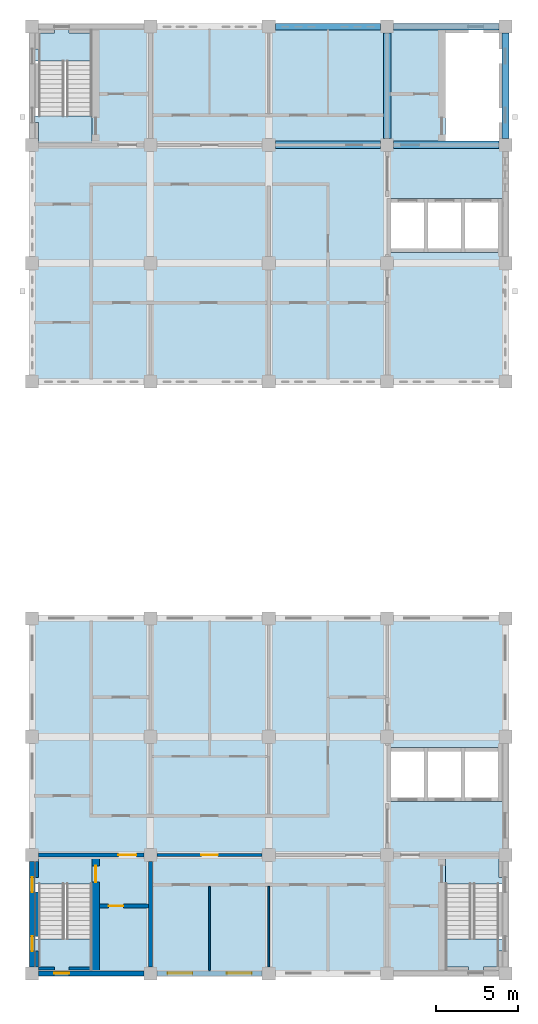
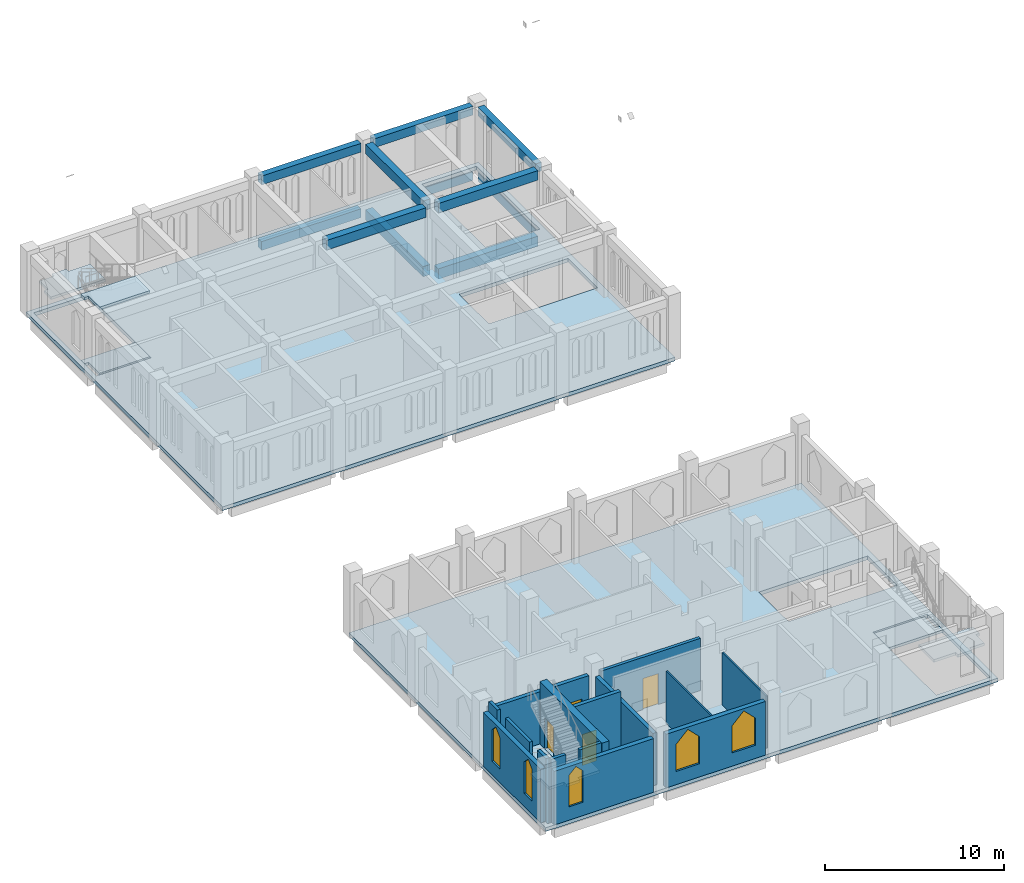
# One storey, part 2 of 13: 15 walls, 11 beams, 9 slabs, 5 windows, 4 doors, 9 openings, 3 elements without a shape of their own.
"""IFC4 building model written with IfcOpenShell, lengths in metres."""

from ifc_helpers import new_model, si_unit, direction, frame, frame_2d, origin, origin_2d, place, context, subcontext, project, spatial, polyline, rectangle, outline, extrude, material, layer, layer_set, material_profile, profile_set, type_object, element, fill, aggregate, save


model = new_model("IFC4")

# Units and contexts
model_context = context("Model", 3, precision=1e-05, world=origin(), true_north=direction((0.0, 1.0)))
body_context = subcontext(model_context, "Body", "Model", "MODEL_VIEW")
ifc_project = project(units=[si_unit("LENGTHUNIT", "METRE"), si_unit("AREAUNIT", "SQUARE_METRE"), si_unit("VOLUMEUNIT", "CUBIC_METRE"), si_unit("PLANEANGLEUNIT", "RADIAN"), si_unit("MASSUNIT", "GRAM", prefix="KILO")], contexts=[model_context])

# Site, building, storey
site_placement = place(None, origin())
site = spatial("IfcSite", under=ifc_project, at=site_placement, CompositionType="ELEMENT")
building_placement = place(site_placement, origin())
building = spatial("IfcBuilding", under=site, at=building_placement, Name="Silangan Lancet Faculty of Sciences", CompositionType="ELEMENT")
storey_placement = place(building_placement, frame((0.0, 0.0, 49.800048828125)))
storey = spatial("IfcBuildingStorey", under=building, at=storey_placement, Name="L10", CompositionType="ELEMENT", Elevation=49.800048828125)

# Beams
ifc_material_1 = material(Name="Concrete C40/50", Category="concrete")
ifc_material_profile_1 = material_profile(ifc_material_1, rectangle(XDim=0.39990234375, YDim=0.60009765625, at=origin_2d()), Name="RC 400x600")
ifc_profile_set_1 = profile_set([ifc_material_profile_1], Name="Concrete C40/50")
beam_type_1 = type_object("IfcBeamType", Name="BEAM RC 400x600", PredefinedType="BEAM", material=ifc_profile_set_1)
for number, where, z_axis, x_axis, name in (
    (1, (14.800048828125, 57.60009765625, -0.550048828125), (1.0, 0.0, 0.0), (0.0, 1.0, 0.0), "BM-L10-3I-4I"),
    (2, (22.0, 57.60009765625, -0.550048828125), (1.0, 0.0, 0.0), (0.0, 1.0, 0.0), "BM-L10-4I-5I"),
    (3, (28.800048828125, 50.800048828125, -0.550048828125), (0.0, 1.0, 0.0), (-1.0, 0.0, 0.0), "BM-L10-5H-5I"),
    (4, (14.800048828125, 57.60009765625, 3.89990234375), (1.0, 0.0, 0.0), (0.0, 1.0, 0.0), "RB-L10-3I-4I"),
    (5, (22.0, 57.60009765625, 3.89990234375), (1.0, 0.0, 0.0), (0.0, 1.0, 0.0), "RB-L10-4I-5I"),
    (6, (28.800048828125, 50.800048828125, 3.89990234375), (0.0, 1.0, 0.0), (-1.0, 0.0, 0.0), "RB-L10-5H-5I"),
):
    element("IfcBeam", number, at=place(storey_placement, frame(where, z_axis=z_axis, x_axis=x_axis)), inside=storey, type_object=beam_type_1, Name=name, PredefinedType="BEAM", context=body_context, shape_type="SweptSolid", body=[
        extrude(rectangle(XDim=0.39990234375, YDim=0.60009765625, at=origin_2d()), origin(), (0.0, 0.0, 1.0), 6.39990234375),
    ])
ifc_material_2 = material(Name="Concrete C40/50", Category="concrete")
ifc_material_profile_2 = material_profile(ifc_material_2, rectangle(XDim=0.449951171875, YDim=0.64990234375, at=origin_2d()), Name="RC 450x650")
ifc_profile_set_2 = profile_set([ifc_material_profile_2], Name="Concrete C40/50")
beam_type_2 = type_object("IfcBeamType", Name="BEAM RC 450x650", PredefinedType="BEAM", material=ifc_profile_set_2)
for number, where, z_axis, x_axis, name in (
    (7, (14.800048828125, 50.39990234375, 3.875), (1.0, 0.0, 0.0), (0.0, 1.0, 0.0), "RB-L10-3H-4H"),
    (8, (22.0, 50.39990234375, 3.875), (1.0, 0.0, 0.0), (0.0, 1.0, 0.0), "RB-L10-4H-5H"),
    (9, (21.60009765625, 50.800048828125, 3.875), (0.0, 1.0, 0.0), (-1.0, 0.0, 0.0), "RB-L10-4H-4I"),
):
    element("IfcBeam", number, at=place(storey_placement, frame(where, z_axis=z_axis, x_axis=x_axis)), inside=storey, type_object=beam_type_2, Name=name, PredefinedType="BEAM", context=body_context, shape_type="SweptSolid", body=[
        extrude(rectangle(XDim=0.449951171875, YDim=0.64990234375, at=origin_2d()), origin(), (0.0, 0.0, 1.0), 6.39990234375),
    ])
ifc_material_3 = material(Name="Concrete C40/50", Category="concrete")
ifc_material_profile_3 = material_profile(ifc_material_3, rectangle(XDim=0.449951171875, YDim=0.699951171875, at=origin_2d()), Name="RC 450x700")
ifc_profile_set_3 = profile_set([ifc_material_profile_3], Name="Concrete C40/50")
beam_type_3 = type_object("IfcBeamType", Name="BEAM RC 450x700", PredefinedType="BEAM", material=ifc_profile_set_3)
for number, where, z_axis, x_axis, name in (
    (10, (22.0, 50.39990234375, -0.60009765625), (1.0, 0.0, 0.0), (0.0, 1.0, 0.0), "BM-L10-4H-5H"),
    (11, (21.60009765625, 50.800048828125, -0.60009765625), (0.0, 1.0, 0.0), (-1.0, 0.0, 0.0), "BM-L10-4H-4I"),
):
    element("IfcBeam", number, at=place(storey_placement, frame(where, z_axis=z_axis, x_axis=x_axis)), inside=storey, type_object=beam_type_3, Name=name, PredefinedType="BEAM", context=body_context, shape_type="SweptSolid", body=[
        extrude(rectangle(XDim=0.449951171875, YDim=0.699951171875, at=origin_2d()), origin(), (0.0, 0.0, 1.0), 6.39990234375),
    ])

# Slabs
ifc_material_4 = material(Name="Concrete C35/45", Category="concrete")
ifc_layer_1 = layer(ifc_material_4, 0.25)
ifc_layer_set_1 = layer_set([ifc_layer_1], Name="Concrete C35/45")
slab_type_1 = type_object("IfcSlabType", Name="SLAB FLOOR 250", PredefinedType="FLOOR", material=ifc_layer_set_1)
slab_1_placement = place(storey_placement, frame((0.0, 0.0, -0.25)))
element("IfcSlab", 12, at=slab_1_placement, inside=storey, type_object=slab_type_1, Name="SLAB-L10-ST", PredefinedType="FLOOR", context=body_context, shape_type="SweptSolid", body=[
    extrude(outline(polyline([(-0.14990234375, 21.75), (-0.14990234375, -0.14990234375), (28.949951171875, -0.14990234375), (28.949951171875, 21.75), (-0.14990234375, 21.75)]), holes=[polyline([(0.14990234375, 0.14990234375), (0.14990234375, 7.199951171875), (3.64990234375, 7.199951171875), (3.64990234375, 0.14990234375), (0.14990234375, 0.14990234375)]), polyline([(25.14990234375, 7.199951171875), (28.64990234375, 7.199951171875), (28.64990234375, 0.14990234375), (25.14990234375, 0.14990234375), (25.14990234375, 7.199951171875)]), polyline([(21.60009765625, 13.75), (28.60009765625, 13.75), (28.60009765625, 10.449951171875), (21.60009765625, 10.449951171875), (21.60009765625, 13.75)])]), origin(), (0.0, 0.0, 1.0), 0.25),
])
slab_2_placement = place(storey_placement, frame((0.0, 0.0, -0.25)))
element("IfcSlab", 13, at=slab_2_placement, inside=storey, type_object=slab_type_1, Name="SLAB-L10-NT", PredefinedType="FLOOR", context=body_context, shape_type="SweptSolid", body=[
    extrude(outline(polyline([(-0.14990234375, 35.85009765625), (28.949951171875, 35.85009765625), (28.949951171875, 57.75), (-0.14990234375, 57.75), (-0.14990234375, 35.85009765625)]), holes=[polyline([(21.60009765625, 43.85009765625), (21.60009765625, 47.14990234375), (28.60009765625, 47.14990234375), (28.60009765625, 43.85009765625), (21.60009765625, 43.85009765625)]), polyline([(0.14990234375, 57.449951171875), (3.64990234375, 57.449951171875), (3.64990234375, 50.39990234375), (0.14990234375, 50.39990234375), (0.14990234375, 57.449951171875)]), polyline([(25.14990234375, 57.449951171875), (28.64990234375, 57.449951171875), (28.64990234375, 50.39990234375), (25.14990234375, 50.39990234375), (25.14990234375, 57.449951171875)])]), origin(), (0.0, 0.0, 1.0), 0.25),
])

# Stair, slabs
ifc_material_5 = material(Name="Concrete C40/50", Category="concrete")
stair_type = type_object("IfcStairType", Name="TURRET STAIR 1550 TWO-FLIGHT", PredefinedType="HALF_TURN_STAIR", material=ifc_material_5)
stair_1_placement = place(storey_placement, origin())
stair_1 = element("IfcStair", 14, at=stair_1_placement, inside=storey, type_object=stair_type, Name="NT-A stair L10", PredefinedType="HALF_TURN_STAIR")
ifc_material_6 = material(Name="Concrete C40/50", Category="concrete")
ifc_layer_2 = layer(ifc_material_6, 0.179931640625)
ifc_layer_set_2 = layer_set([ifc_layer_2], Name="Concrete C40/50")
slab_type_2 = type_object("IfcSlabType", Name="TURRET STAIR LANDING RC 180", PredefinedType="LANDING", material=ifc_layer_set_2)
slab_3_placement = place(storey_placement, frame((0.0, 0.0, -0.179931640625)))
slab_3 = element("IfcSlab", 15, at=slab_3_placement, type_object=slab_type_2, Name="STR3 landing 1", PredefinedType="LANDING", context=body_context, shape_type="SweptSolid", body=[
    extrude(outline(polyline([(0.14990234375, 52.14990234375), (3.64990234375, 52.14990234375), (3.64990234375, 50.52490234375), (0.39990234375, 50.52490234375), (0.39990234375, 51.75), (0.14990234375, 51.75), (0.14990234375, 52.14990234375)])), origin(), (0.0, 0.0, 1.0), 0.179931640625),
])
slab_4_placement = place(storey_placement, frame((0.0, 0.0, 2.070068359375)))
slab_4 = element("IfcSlab", 16, at=slab_4_placement, type_object=slab_type_2, Name="STR3 landing 2", PredefinedType="LANDING", context=body_context, shape_type="SweptSolid", body=[
    extrude(outline(polyline([(0.14990234375, 55.510009765625), (0.14990234375, 56.25), (0.39990234375, 56.25), (0.39990234375, 57.199951171875), (1.35009765625, 57.199951171875), (1.35009765625, 57.449951171875), (2.25, 57.449951171875), (2.25, 57.199951171875), (3.64990234375, 57.199951171875), (3.64990234375, 55.510009765625), (0.14990234375, 55.510009765625)])), origin(), (0.0, 0.0, 1.0), 0.179931640625),
])
slab_5_placement = place(storey_placement, frame((0.0, 0.0, 4.320068359375)))
slab_5 = element("IfcSlab", 17, at=slab_5_placement, type_object=slab_type_2, Name="STR3 landing 3", PredefinedType="LANDING", context=body_context, shape_type="SweptSolid", body=[
    extrude(outline(polyline([(0.14990234375, 52.14990234375), (3.64990234375, 52.14990234375), (3.64990234375, 50.52490234375), (0.39990234375, 50.52490234375), (0.39990234375, 51.75), (0.14990234375, 51.75), (0.14990234375, 52.14990234375)])), origin(), (0.0, 0.0, 1.0), 0.179931640625),
])
aggregate(stair_1, [slab_3, slab_4, slab_5])

stair_2_placement = place(storey_placement, origin())
stair_2 = element("IfcStair", 18, at=stair_2_placement, inside=storey, type_object=stair_type, Name="ST-A stair L10", PredefinedType="HALF_TURN_STAIR")
slab_6_placement = place(storey_placement, frame((0.0, 0.0, -0.179931640625)))
slab_6 = element("IfcSlab", 19, at=slab_6_placement, type_object=slab_type_2, Name="STR1 landing 1", PredefinedType="LANDING", context=body_context, shape_type="SweptSolid", body=[
    extrude(outline(polyline([(0.14990234375, 5.449951171875), (0.14990234375, 5.85009765625), (0.39990234375, 5.85009765625), (0.39990234375, 7.074951171875), (3.64990234375, 7.074951171875), (3.64990234375, 5.449951171875), (0.14990234375, 5.449951171875)])), origin(), (0.0, 0.0, 1.0), 0.179931640625),
])
slab_7_placement = place(storey_placement, frame((0.0, 0.0, 2.070068359375)))
slab_7 = element("IfcSlab", 20, at=slab_7_placement, type_object=slab_type_2, Name="STR1 landing 2", PredefinedType="LANDING", context=body_context, shape_type="SweptSolid", body=[
    extrude(outline(polyline([(0.14990234375, 2.090087890625), (3.64990234375, 2.090087890625), (3.64990234375, 0.39990234375), (2.25, 0.39990234375), (2.25, 0.14990234375), (1.35009765625, 0.14990234375), (1.35009765625, 0.39990234375), (0.39990234375, 0.39990234375), (0.39990234375, 1.35009765625), (0.14990234375, 1.35009765625), (0.14990234375, 2.090087890625)])), origin(), (0.0, 0.0, 1.0), 0.179931640625),
])
aggregate(stair_2, [slab_6, slab_7])

stair_3_placement = place(storey_placement, origin())
stair_3 = element("IfcStair", 21, at=stair_3_placement, inside=storey, type_object=stair_type, Name="ST-B stair L10", PredefinedType="HALF_TURN_STAIR")
slab_8_placement = place(storey_placement, frame((0.0, 0.0, -0.179931640625)))
slab_8 = element("IfcSlab", 22, at=slab_8_placement, type_object=slab_type_2, Name="STR2 landing 1", PredefinedType="LANDING", context=body_context, shape_type="SweptSolid", body=[
    extrude(outline(polyline([(28.39990234375, 5.85009765625), (28.64990234375, 5.85009765625), (28.64990234375, 5.449951171875), (25.14990234375, 5.449951171875), (25.14990234375, 7.074951171875), (28.39990234375, 7.074951171875), (28.39990234375, 5.85009765625)])), origin(), (0.0, 0.0, 1.0), 0.179931640625),
])
slab_9_placement = place(storey_placement, frame((0.0, 0.0, 2.070068359375)))
slab_9 = element("IfcSlab", 23, at=slab_9_placement, type_object=slab_type_2, Name="STR2 landing 2", PredefinedType="LANDING", context=body_context, shape_type="SweptSolid", body=[
    extrude(outline(polyline([(26.550048828125, 0.14990234375), (26.550048828125, 0.39990234375), (25.14990234375, 0.39990234375), (25.14990234375, 2.090087890625), (28.64990234375, 2.090087890625), (28.64990234375, 1.35009765625), (28.39990234375, 1.35009765625), (28.39990234375, 0.39990234375), (27.449951171875, 0.39990234375), (27.449951171875, 0.14990234375), (26.550048828125, 0.14990234375)])), origin(), (0.0, 0.0, 1.0), 0.179931640625),
])
aggregate(stair_3, [slab_8, slab_9])

# Wall, openings, windows
ifc_material_7 = material(Name="Concrete C40/50 precast", Category="concrete")
ifc_layer_3 = layer(ifc_material_7, 0.300048828125)
ifc_layer_set_3 = layer_set([ifc_layer_3], Name="Concrete C40/50 precast")
wall_type_1 = type_object("IfcWallType", Name="EW1 Precast cladding wall", PredefinedType="STANDARD", material=ifc_layer_set_3)
wall_1_placement = place(storey_placement, frame((7.60009765625, 0.0, 0.0), z_axis=(0.0, 0.0, 1.0), x_axis=(1.0, 0.0, 0.0)))
wall_1 = element("IfcWall", 24, at=wall_1_placement, inside=storey, type_object=wall_type_1, Name="EW-L10-S-ST-01", PredefinedType="STANDARD", context=body_context, shape_type="SweptSolid", body=[
    extrude(rectangle(XDim=6.39990234375, YDim=0.300048828125, at=frame_2d((3.199951171875, 0.0))), origin(), (0.0, 0.0, 1.0), 3.64990234375),
])
opening_1_placement = place(wall_1_placement, frame((0.64990234375, 0.0, 0.89990234375)))
opening_1 = element("IfcOpeningElement", 25, at=opening_1_placement, cuts=wall_1, Name="Opening W26", PredefinedType="OPENING", context=body_context, shape_type="SweptSolid", body=[
    extrude(outline(polyline([(0.0, 0.0), (1.5, 0.0), (1.5, 1.85009765625), (0.75, 2.60009765625), (0.0, 1.85009765625), (0.0, 0.0)])), frame((0.0, 0.159912109375, 0.0), z_axis=(0.0, -1.0, 0.0), x_axis=(1.0, 0.0, 0.0)), (0.0, 0.0, 1.0), 0.320068359375),
])
opening_2_placement = place(wall_1_placement, frame((4.25, 0.0, 0.89990234375)))
opening_2 = element("IfcOpeningElement", 26, at=opening_2_placement, cuts=wall_1, Name="Opening W26", PredefinedType="OPENING", context=body_context, shape_type="SweptSolid", body=[
    extrude(outline(polyline([(0.0, 0.0), (1.5, 0.0), (1.5, 1.85009765625), (0.75, 2.60009765625), (0.0, 1.85009765625), (0.0, 0.0)])), frame((0.0, 0.159912109375, 0.0), z_axis=(0.0, -1.0, 0.0), x_axis=(1.0, 0.0, 0.0)), (0.0, 0.0, 1.0), 0.320068359375),
])
ifc_material_8 = material(Name="Aluminium frame, laminated double glazing", Category="aluminium")
window_type_1 = type_object("IfcWindowType", Name="W26 Lancet window 1500 x 2600", PartitioningType="SINGLE_PANEL", PredefinedType="WINDOW", material=ifc_material_8)
window_1_placement = place(opening_1_placement, origin())
window_1 = element("IfcWindow", 27, at=window_1_placement, inside=storey, type_object=window_type_1, Name="WIN-L10-S-ST-01a", OverallHeight=2.60009765625, OverallWidth=1.5, PartitioningType="SINGLE_PANEL", PredefinedType="WINDOW", context=body_context, shape_type="SweptSolid", body=[
    extrude(outline(polyline([(0.0, 0.0), (1.5, 0.0), (1.5, 1.85009765625), (0.75, 2.60009765625), (0.0, 1.85009765625), (0.0, 0.0)])), frame((0.0, 0.030029296875, 0.0), z_axis=(0.0, -1.0, 0.0), x_axis=(1.0, 0.0, 0.0)), (0.0, 0.0, 1.0), 0.06005859375),
])
fill(opening_1, window_1)
window_2_placement = place(opening_2_placement, origin())
window_2 = element("IfcWindow", 28, at=window_2_placement, inside=storey, type_object=window_type_1, Name="WIN-L10-S-ST-01b", OverallHeight=2.60009765625, OverallWidth=1.5, PartitioningType="SINGLE_PANEL", PredefinedType="WINDOW", context=body_context, shape_type="SweptSolid", body=[
    extrude(outline(polyline([(0.0, 0.0), (1.5, 0.0), (1.5, 1.85009765625), (0.75, 2.60009765625), (0.0, 1.85009765625), (0.0, 0.0)])), frame((0.0, 0.030029296875, 0.0), z_axis=(0.0, -1.0, 0.0), x_axis=(1.0, 0.0, 0.0)), (0.0, 0.0, 1.0), 0.06005859375),
])
fill(opening_2, window_2)

ifc_material_9 = material(Name="Concrete C40/50 precast", Category="concrete")
ifc_layer_4 = layer(ifc_material_9, 0.300048828125)
ifc_layer_set_4 = layer_set([ifc_layer_4], Name="Concrete C40/50 precast")
wall_type_2 = type_object("IfcWallType", Name="EW2 Turret enclosure wall", PredefinedType="STANDARD", material=ifc_layer_set_4)
wall_2_placement = place(storey_placement, frame((0.0, 0.39990234375, 0.0), z_axis=(0.0, 0.0, 1.0), x_axis=(0.0, 1.0, 0.0)))
wall_2 = element("IfcWall", 29, at=wall_2_placement, inside=storey, type_object=wall_type_2, Name="EW-L10-W-ST-00", PredefinedType="STANDARD", context=body_context, shape_type="SweptSolid", body=[
    extrude(rectangle(XDim=6.400146484375, YDim=0.300048828125, at=frame_2d((3.2001953125, 0.0))), origin(), (0.0, 0.0, 1.0), 3.64990234375),
])
opening_3_placement = place(wall_2_placement, frame((0.949951171875, 0.0, 0.89990234375)))
opening_3 = element("IfcOpeningElement", 30, at=opening_3_placement, cuts=wall_2, Name="Opening W25", PredefinedType="OPENING", context=body_context, shape_type="SweptSolid", body=[
    extrude(outline(polyline([(0.0, 0.0), (0.89990234375, 0.0), (0.89990234375, 2.150146484375), (0.449951171875, 2.60009765625), (0.0, 2.150146484375), (0.0, 0.0)])), frame((0.0, 0.159912109375, 0.0), z_axis=(0.0, -1.0, 0.0), x_axis=(1.0, 0.0, 0.0)), (0.0, 0.0, 1.0), 0.320068359375),
])
opening_4_placement = place(wall_2_placement, frame((4.550048828125, 0.0, 0.89990234375)))
opening_4 = element("IfcOpeningElement", 31, at=opening_4_placement, cuts=wall_2, Name="Opening W25", PredefinedType="OPENING", context=body_context, shape_type="SweptSolid", body=[
    extrude(outline(polyline([(0.0, 0.0), (0.89990234375, 0.0), (0.89990234375, 2.150146484375), (0.449951171875, 2.60009765625), (0.0, 2.150146484375), (0.0, 0.0)])), frame((0.0, 0.159912109375, 0.0), z_axis=(0.0, -1.0, 0.0), x_axis=(1.0, 0.0, 0.0)), (0.0, 0.0, 1.0), 0.320068359375),
])
ifc_material_10 = material(Name="Aluminium frame, laminated double glazing", Category="aluminium")
window_type_2 = type_object("IfcWindowType", Name="W25 Lancet window 900 x 2600", PartitioningType="SINGLE_PANEL", PredefinedType="WINDOW", material=ifc_material_10)
window_3_placement = place(opening_3_placement, origin())
window_3 = element("IfcWindow", 32, at=window_3_placement, inside=storey, type_object=window_type_2, Name="WIN-L10-W-ST-00a", OverallHeight=2.60009765625, OverallWidth=0.89990234375, PartitioningType="SINGLE_PANEL", PredefinedType="WINDOW", context=body_context, shape_type="SweptSolid", body=[
    extrude(outline(polyline([(0.0, 0.0), (0.89990234375, 0.0), (0.89990234375, 2.150146484375), (0.449951171875, 2.60009765625), (0.0, 2.150146484375), (0.0, 0.0)])), frame((0.0, 0.030029296875, 0.0), z_axis=(0.0, -1.0, 0.0), x_axis=(1.0, 0.0, 0.0)), (0.0, 0.0, 1.0), 0.06005859375),
])
fill(opening_3, window_3)
window_4_placement = place(opening_4_placement, origin())
window_4 = element("IfcWindow", 33, at=window_4_placement, inside=storey, type_object=window_type_2, Name="WIN-L10-W-ST-00b", OverallHeight=2.60009765625, OverallWidth=0.89990234375, PartitioningType="SINGLE_PANEL", PredefinedType="WINDOW", context=body_context, shape_type="SweptSolid", body=[
    extrude(outline(polyline([(0.0, 0.0), (0.89990234375, 0.0), (0.89990234375, 2.150146484375), (0.449951171875, 2.60009765625), (0.0, 2.150146484375), (0.0, 0.0)])), frame((0.0, 0.030029296875, 0.0), z_axis=(0.0, -1.0, 0.0), x_axis=(1.0, 0.0, 0.0)), (0.0, 0.0, 1.0), 0.06005859375),
])
fill(opening_4, window_4)

# Wall, opening, window
wall_3_placement = place(storey_placement, frame((0.39990234375, 0.0, 0.0), z_axis=(0.0, 0.0, 1.0), x_axis=(1.0, 0.0, 0.0)))
wall_3 = element("IfcWall", 34, at=wall_3_placement, inside=storey, type_object=wall_type_2, Name="EW-L10-S-ST-00", PredefinedType="STANDARD", context=body_context, shape_type="SweptSolid", body=[
    extrude(rectangle(XDim=6.400146484375, YDim=0.300048828125, at=frame_2d((3.2001953125, 0.0))), origin(), (0.0, 0.0, 1.0), 3.64990234375),
])
opening_5_placement = place(wall_3_placement, frame((0.949951171875, 0.0, 0.89990234375)))
opening_5 = element("IfcOpeningElement", 35, at=opening_5_placement, cuts=wall_3, Name="Opening W25", PredefinedType="OPENING", context=body_context, shape_type="SweptSolid", body=[
    extrude(outline(polyline([(0.0, 0.0), (0.89990234375, 0.0), (0.89990234375, 2.150146484375), (0.449951171875, 2.60009765625), (0.0, 2.150146484375), (0.0, 0.0)])), frame((0.0, 0.159912109375, 0.0), z_axis=(0.0, -1.0, 0.0), x_axis=(1.0, 0.0, 0.0)), (0.0, 0.0, 1.0), 0.320068359375),
])
window_5_placement = place(opening_5_placement, origin())
window_5 = element("IfcWindow", 36, at=window_5_placement, inside=storey, type_object=window_type_2, Name="WIN-L10-S-ST-00a", OverallHeight=2.60009765625, OverallWidth=0.89990234375, PartitioningType="SINGLE_PANEL", PredefinedType="WINDOW", context=body_context, shape_type="SweptSolid", body=[
    extrude(outline(polyline([(0.0, 0.0), (0.89990234375, 0.0), (0.89990234375, 2.150146484375), (0.449951171875, 2.60009765625), (0.0, 2.150146484375), (0.0, 0.0)])), frame((0.0, 0.030029296875, 0.0), z_axis=(0.0, -1.0, 0.0), x_axis=(1.0, 0.0, 0.0)), (0.0, 0.0, 1.0), 0.06005859375),
])
fill(opening_5, window_5)

# Wall, opening, door
ifc_material_11 = material(Name="Hollow block masonry fm 7 MPa", Category="masonry")
ifc_layer_5 = layer(ifc_material_11, 0.199951171875)
ifc_layer_set_5 = layer_set([ifc_layer_5], Name="Hollow block masonry fm 7 MPa")
wall_type_3 = type_object("IfcWallType", Name="Interior wall PW1 Corridor wall CHB 200", PredefinedType="PARTITIONING", material=ifc_layer_set_5)
wall_4_placement = place(storey_placement, frame((7.60009765625, 7.199951171875, 0.0), z_axis=(0.0, 0.0, 1.0), x_axis=(1.0, 0.0, 0.0)))
wall_4 = element("IfcWall", 37, at=wall_4_placement, inside=storey, type_object=wall_type_3, Name="Corridor wall CHB 200", PredefinedType="PARTITIONING", context=body_context, shape_type="SweptSolid", body=[
    extrude(rectangle(XDim=6.39990234375, YDim=0.199951171875, at=frame_2d((3.199951171875, 0.0))), origin(), (0.0, 0.0, 1.0), 3.550048828125),
])
opening_6_placement = place(wall_4_placement, frame((2.699951171875, 0.0, 0.0)))
opening_6 = element("IfcOpeningElement", 38, at=opening_6_placement, cuts=wall_4, Name="Opening L10-002", PredefinedType="OPENING", context=body_context, shape_type="SweptSolid", body=[
    extrude(rectangle(XDim=1.0, YDim=2.10009765625, at=frame_2d((0.5, 1.050048828125))), frame((0.0, 0.10986328125, 0.0), z_axis=(0.0, -1.0, 0.0), x_axis=(1.0, 0.0, 0.0)), (0.0, 0.0, 1.0), 0.219970703125),
])
ifc_material_12 = material(Name="Steel fire door set", Category="steel")
door_type_1 = type_object("IfcDoorType", Name="Door D1 Single leaf fire door 1000 x 2100", OperationType="SINGLE_SWING_LEFT", PredefinedType="DOOR", material=ifc_material_12)
door_1_placement = place(opening_6_placement, frame((1.0, 0.0, 0.0), z_axis=(0.0, 0.0, 1.0), x_axis=(-1.0, 0.0, 0.0)))
door_1 = element("IfcDoor", 39, at=door_1_placement, inside=storey, type_object=door_type_1, Name="Single leaf fire door 1000 x 2100", OperationType="SINGLE_SWING_LEFT", OverallHeight=2.10009765625, OverallWidth=1.0, PredefinedType="DOOR", context=body_context, shape_type="SweptSolid", body=[
    extrude(rectangle(XDim=1.0, YDim=2.10009765625, at=frame_2d((0.5, 1.050048828125))), frame((0.0, 0.025146484375, 0.0), z_axis=(0.0, -1.0, 0.0), x_axis=(1.0, 0.0, 0.0)), (0.0, 0.0, 1.0), 0.050048828125),
])
fill(opening_6, door_1)

# Walls
ifc_material_13 = material(Name="Hollow block masonry fm 7 MPa", Category="masonry")
ifc_layer_6 = layer(ifc_material_13, 0.10009765625)
ifc_layer_set_6 = layer_set([ifc_layer_6], Name="Hollow block masonry fm 7 MPa")
wall_type_4 = type_object("IfcWallType", Name="Interior wall PW8 WC partition CHB 100", PredefinedType="PARTITIONING", material=ifc_layer_set_6)
wall_5_placement = place(storey_placement, frame((10.800048828125, 0.14990234375, 0.0), z_axis=(0.0, 0.0, 1.0), x_axis=(0.0, 1.0, 0.0)))
element("IfcWall", 40, at=wall_5_placement, inside=storey, type_object=wall_type_4, Name="WC partition CHB 100", PredefinedType="PARTITIONING", context=body_context, shape_type="SweptSolid", body=[
    extrude(rectangle(XDim=5.150146484375, YDim=0.10009765625, at=frame_2d((2.5751953125, 0.0))), origin(), (0.0, 0.0, 1.0), 3.550048828125),
])
wall_6_placement = place(storey_placement, frame((14.39990234375, 0.39990234375, 0.0), z_axis=(0.0, 0.0, 1.0), x_axis=(0.0, 1.0, 0.0)))
element("IfcWall", 41, at=wall_6_placement, inside=storey, type_object=wall_type_4, Name="WC partition CHB 100", PredefinedType="PARTITIONING", context=body_context, shape_type="SweptSolid", body=[
    extrude(rectangle(XDim=4.900146484375, YDim=0.10009765625, at=frame_2d((2.4501953125, 0.0))), origin(), (0.0, 0.0, 1.0), 3.550048828125),
])

# Wall, opening, door
ifc_material_14 = material(Name="Concrete C40/50", Category="concrete")
ifc_layer_7 = layer(ifc_material_14, 0.449951171875)
ifc_layer_set_7 = layer_set([ifc_layer_7], Name="Concrete C40/50")
wall_type_5 = type_object("IfcWallType", Name="TURRET CORE WALL RC 450", PredefinedType="SHEAR", material=ifc_layer_set_7)
wall_7_placement = place(storey_placement, frame((3.875, 0.14990234375, 0.0), z_axis=(0.0, 0.0, 1.0), x_axis=(0.0, 1.0, 0.0)))
wall_7 = element("IfcWall", 42, at=wall_7_placement, inside=storey, type_object=wall_type_5, Name="WALL-L10-ST-A-WELL", PredefinedType="SHEAR", context=body_context, shape_type="SweptSolid", body=[
    extrude(rectangle(XDim=6.925048828125, YDim=0.449951171875, at=frame_2d((3.46240234375, 0.0))), origin(), (0.0, 0.0, 1.0), 4.25),
])
opening_7_placement = place(wall_7_placement, frame((5.39990234375, 0.0, 0.0)))
opening_7 = element("IfcOpeningElement", 43, at=opening_7_placement, cuts=wall_7, Name="Opening L10-707", PredefinedType="OPENING", context=body_context, shape_type="SweptSolid", body=[
    extrude(rectangle(XDim=1.0, YDim=2.10009765625, at=frame_2d((0.5, 1.050048828125))), frame((0.0, 0.23486328125, 0.0), z_axis=(0.0, -1.0, 0.0), x_axis=(1.0, 0.0, 0.0)), (0.0, 0.0, 1.0), 0.469970703125),
])
ifc_material_15 = material(Name="Steel fire door set", Category="steel")
door_type_2 = type_object("IfcDoorType", Name="D71 Stair enclosure door 1000x2100", OperationType="SINGLE_SWING_LEFT", PredefinedType="DOOR", material=ifc_material_15)
door_2_placement = place(opening_7_placement, origin())
door_2 = element("IfcDoor", 44, at=door_2_placement, inside=storey, type_object=door_type_2, Name="Stair enclosure door ST-A L10", OperationType="SINGLE_SWING_RIGHT", OverallHeight=2.10009765625, OverallWidth=1.0, PredefinedType="DOOR", context=body_context, shape_type="SweptSolid", body=[
    extrude(rectangle(XDim=1.0, YDim=2.10009765625, at=frame_2d((0.5, 1.050048828125))), frame((0.0, 0.02490234375, 0.0), z_axis=(0.0, -1.0, 0.0), x_axis=(1.0, 0.0, 0.0)), (0.0, 0.0, 1.0), 0.050048828125),
])
fill(opening_7, door_2)

# Walls
ifc_material_16 = material(Name="Concrete C40/50", Category="concrete")
ifc_layer_8 = layer(ifc_material_16, 0.199951171875)
ifc_layer_set_8 = layer_set([ifc_layer_8], Name="Concrete C40/50")
wall_type_6 = type_object("IfcWallType", Name="TURRET LINING WALL RC 200", PredefinedType="SHEAR", material=ifc_layer_set_8)
wall_8_placement = place(storey_placement, frame((0.300048828125, 0.39990234375, -0.25), z_axis=(0.0, 0.0, 1.0), x_axis=(0.0, 1.0, 0.0)))
element("IfcWall", 45, at=wall_8_placement, inside=storey, type_object=wall_type_6, Name="WALL-L10-ST-A-WL", PredefinedType="SHEAR", context=body_context, shape_type="SweptSolid", body=[
    extrude(rectangle(XDim=0.9501953125, YDim=0.199951171875, at=frame_2d((0.47509765625, 0.0))), origin(), (0.0, 0.0, 1.0), 4.5),
])
wall_9_placement = place(storey_placement, frame((0.300048828125, 2.25, -0.25), z_axis=(0.0, 0.0, 1.0), x_axis=(0.0, 1.0, 0.0)))
element("IfcWall", 46, at=wall_9_placement, inside=storey, type_object=wall_type_6, Name="WALL-L10-ST-A-WL-2", PredefinedType="SHEAR", context=body_context, shape_type="SweptSolid", body=[
    extrude(rectangle(XDim=2.699951171875, YDim=0.199951171875, at=frame_2d((1.35009765625, 0.0))), origin(), (0.0, 0.0, 1.0), 4.5),
])
wall_10_placement = place(storey_placement, frame((0.300048828125, 5.85009765625, -0.25), z_axis=(0.0, 0.0, 1.0), x_axis=(0.0, 1.0, 0.0)))
element("IfcWall", 47, at=wall_10_placement, inside=storey, type_object=wall_type_6, Name="WALL-L10-ST-A-WL-3", PredefinedType="SHEAR", context=body_context, shape_type="SweptSolid", body=[
    extrude(rectangle(XDim=0.949951171875, YDim=0.199951171875, at=frame_2d((0.47509765625, 0.0))), origin(), (0.0, 0.0, 1.0), 4.5),
])
wall_11_placement = place(storey_placement, frame((0.39990234375, 0.300048828125, -0.25), z_axis=(0.0, 0.0, 1.0), x_axis=(1.0, 0.0, 0.0)))
element("IfcWall", 48, at=wall_11_placement, inside=storey, type_object=wall_type_6, Name="WALL-L10-ST-A-WLD", PredefinedType="SHEAR", context=body_context, shape_type="SweptSolid", body=[
    extrude(rectangle(XDim=0.9501953125, YDim=0.199951171875, at=frame_2d((0.47509765625, 0.0))), origin(), (0.0, 0.0, 1.0), 4.5),
])
wall_12_placement = place(storey_placement, frame((2.25, 0.300048828125, -0.25), z_axis=(0.0, 0.0, 1.0), x_axis=(1.0, 0.0, 0.0)))
element("IfcWall", 49, at=wall_12_placement, inside=storey, type_object=wall_type_6, Name="WALL-L10-ST-A-WLD-2", PredefinedType="SHEAR", context=body_context, shape_type="SweptSolid", body=[
    extrude(rectangle(XDim=1.39990234375, YDim=0.199951171875, at=frame_2d((0.699951171875, 0.0))), origin(), (0.0, 0.0, 1.0), 4.5),
])

# Wall, opening, door
ifc_material_17 = material(Name="Concrete C40/50", Category="concrete")
ifc_layer_9 = layer(ifc_material_17, 0.25)
ifc_layer_set_9 = layer_set([ifc_layer_9], Name="Concrete C40/50")
wall_type_7 = type_object("IfcWallType", Name="TURRET WALL RC 250", PredefinedType="SHEAR", material=ifc_layer_set_9)
wall_13_placement = place(storey_placement, frame((0.39990234375, 7.199951171875, 0.0), z_axis=(0.0, 0.0, 1.0), x_axis=(1.0, 0.0, 0.0)))
wall_13 = element("IfcWall", 50, at=wall_13_placement, inside=storey, type_object=wall_type_7, Name="WALL-L10-ST-A-V", PredefinedType="SHEAR", context=body_context, shape_type="SweptSolid", body=[
    extrude(rectangle(XDim=6.400146484375, YDim=0.25, at=frame_2d((3.2001953125, 0.0))), origin(), (0.0, 0.0, 1.0), 3.550048828125),
])
opening_8_placement = place(wall_13_placement, frame((4.85009765625, 0.0, 0.0)))
opening_8 = element("IfcOpeningElement", 51, at=opening_8_placement, cuts=wall_13, Name="Opening L10-708", PredefinedType="OPENING", context=body_context, shape_type="SweptSolid", body=[
    extrude(rectangle(XDim=1.10009765625, YDim=2.10009765625, at=frame_2d((0.550048828125, 1.050048828125))), frame((0.0, 0.135009765625, 0.0), z_axis=(0.0, -1.0, 0.0), x_axis=(1.0, 0.0, 0.0)), (0.0, 0.0, 1.0), 0.27001953125),
])
ifc_material_18 = material(Name="Steel fire door set", Category="steel")
door_type_3 = type_object("IfcDoorType", Name="D70 Stair vestibule door 1100x2100", OperationType="SINGLE_SWING_LEFT", PredefinedType="DOOR", material=ifc_material_18)
door_3_placement = place(opening_8_placement, frame((1.10009765625, 0.0, 0.0), z_axis=(0.0, 0.0, 1.0), x_axis=(-1.0, 0.0, 0.0)))
door_3 = element("IfcDoor", 52, at=door_3_placement, inside=storey, type_object=door_type_3, Name="Stair vestibule door ST-A L10", OperationType="SINGLE_SWING_LEFT", OverallHeight=2.10009765625, OverallWidth=1.10009765625, PredefinedType="DOOR", context=body_context, shape_type="SweptSolid", body=[
    extrude(rectangle(XDim=1.10009765625, YDim=2.10009765625, at=frame_2d((0.550048828125, 1.050048828125))), frame((0.0, 0.025146484375, 0.0), z_axis=(0.0, -1.0, 0.0), x_axis=(1.0, 0.0, 0.0)), (0.0, 0.0, 1.0), 0.050048828125),
])
fill(opening_8, door_3)

# Wall
wall_14_placement = place(storey_placement, frame((7.199951171875, 0.39990234375, 0.0), z_axis=(0.0, 0.0, 1.0), x_axis=(0.0, 1.0, 0.0)))
element("IfcWall", 53, at=wall_14_placement, inside=storey, type_object=wall_type_7, Name="WALL-L10-ST-A-O", PredefinedType="SHEAR", context=body_context, shape_type="SweptSolid", body=[
    extrude(rectangle(XDim=6.400146484375, YDim=0.25, at=frame_2d((3.2001953125, 0.0))), origin(), (0.0, 0.0, 1.0), 3.550048828125),
])

# Wall, opening, door
wall_15_placement = place(storey_placement, frame((4.10009765625, 4.10009765625, 0.0), z_axis=(0.0, 0.0, 1.0), x_axis=(1.0, 0.0, 0.0)))
wall_15 = element("IfcWall", 54, at=wall_15_placement, inside=storey, type_object=wall_type_7, Name="WALL-L10-ST-A-RISER", PredefinedType="SHEAR", context=body_context, shape_type="SweptSolid", body=[
    extrude(rectangle(XDim=2.974853515625, YDim=0.25, at=frame_2d((1.4873046875, 0.0))), origin(), (0.0, 0.0, 1.0), 4.25),
])
opening_9_placement = place(wall_15_placement, frame((0.550048828125, 0.0, 0.0)))
opening_9 = element("IfcOpeningElement", 55, at=opening_9_placement, cuts=wall_15, Name="Opening L10-709", PredefinedType="OPENING", context=body_context, shape_type="SweptSolid", body=[
    extrude(rectangle(XDim=0.89990234375, YDim=2.10009765625, at=frame_2d((0.449951171875, 1.050048828125))), frame((0.0, 0.135009765625, 0.0), z_axis=(0.0, -1.0, 0.0), x_axis=(1.0, 0.0, 0.0)), (0.0, 0.0, 1.0), 0.27001953125),
])
ifc_material_19 = material(Name="Steel fire door set", Category="steel")
door_type_4 = type_object("IfcDoorType", Name="D72 Riser access door 900x2100", OperationType="SINGLE_SWING_LEFT", PredefinedType="DOOR", material=ifc_material_19)
door_4_placement = place(opening_9_placement, frame((0.89990234375, 0.0, 0.0), z_axis=(0.0, 0.0, 1.0), x_axis=(-1.0, 0.0, 0.0)))
door_4 = element("IfcDoor", 56, at=door_4_placement, inside=storey, type_object=door_type_4, Name="Riser access door ST-A L10", OperationType="SINGLE_SWING_LEFT", OverallHeight=2.10009765625, OverallWidth=0.89990234375, PredefinedType="DOOR", context=body_context, shape_type="SweptSolid", body=[
    extrude(rectangle(XDim=0.89990234375, YDim=2.10009765625, at=frame_2d((0.449951171875, 1.050048828125))), frame((0.0, 0.025146484375, 0.0), z_axis=(0.0, -1.0, 0.0), x_axis=(1.0, 0.0, 0.0)), (0.0, 0.0, 1.0), 0.050048828125),
])
fill(opening_9, door_4)

save(model, "model.ifc")
